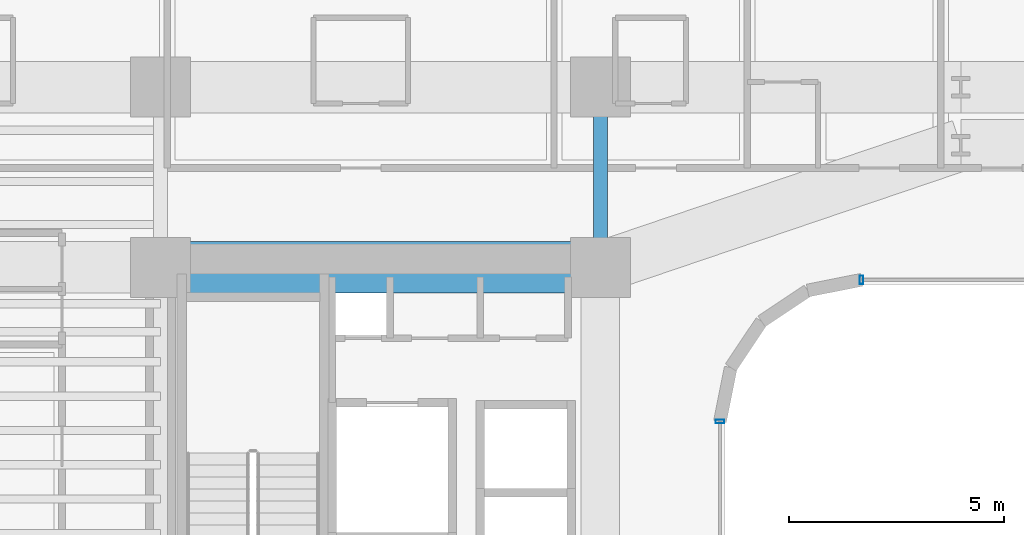
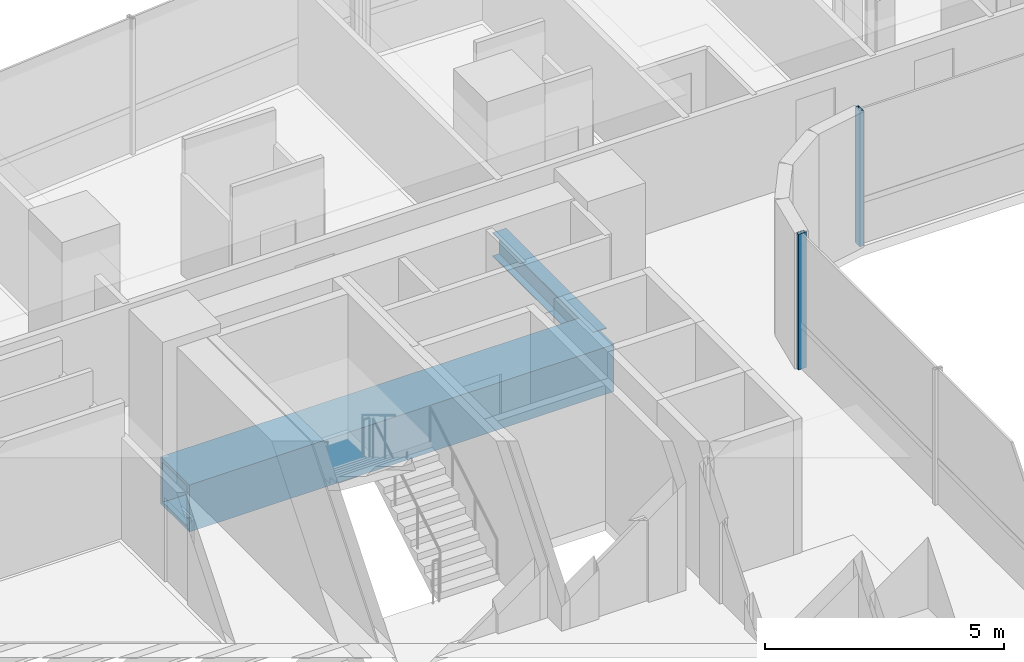
# One storey, part 13 of 50: 2 beams, 2 members, 2 elements without a shape of their own.
"""IFC4 building model written with IfcOpenShell, lengths in metres."""

from ifc_helpers import new_model, si_unit, direction, frame, origin, origin_2d, place, context, subcontext, project, spatial, hollow_rectangle, i_section, extrude, source, transform, mapped, material, material_profile, profile_set, type_object, element, aggregate, save


model = new_model("IFC4")

# Units and contexts
model_context = context("Model", 3, precision=1e-05, world=origin(), true_north=direction((0.0, 1.0)))
body_context = subcontext(model_context, "Body", "Model", "MODEL_VIEW")
ifc_project = project(units=[si_unit("LENGTHUNIT", "METRE"), si_unit("AREAUNIT", "SQUARE_METRE"), si_unit("VOLUMEUNIT", "CUBIC_METRE"), si_unit("PLANEANGLEUNIT", "RADIAN"), si_unit("MASSUNIT", "GRAM", prefix="KILO")], contexts=[model_context])

# Site, building, storey
site_placement = place(None, origin())
site = spatial("IfcSite", under=ifc_project, at=site_placement, CompositionType="ELEMENT")
building_placement = place(site_placement, origin())
building = spatial("IfcBuilding", under=site, at=building_placement, Name="Valdorenza Pilgrim Sanctuary Tower", CompositionType="ELEMENT")
storey_placement = place(building_placement, frame((0.0, 0.0, 26.0)))
storey = spatial("IfcBuildingStorey", under=building, at=storey_placement, Name="L05", CompositionType="ELEMENT", Elevation=26.0)

# Beams
ifc_material_1 = material(Name="Steel ASTM A992 Grade 50", Category="steel")
ifc_material_profile_1 = material_profile(ifc_material_1, i_section(OverallWidth=0.323974609375, OverallDepth=0.611083984375, WebThickness=0.0126953125, FlangeThickness=0.01904296875, at=origin_2d()), Name="W24X104")
ifc_profile_set_1 = profile_set([ifc_material_profile_1], Name="Steel ASTM A992 Grade 50")
beam_type_1 = type_object("IfcBeamType", Name="STR-BM-GRD-W24B", PredefinedType="BEAM", material=ifc_profile_set_1)
shared_shape_1 = source(origin(), body_context, "Body", "SweptSolid", [
    extrude(i_section(OverallWidth=0.323974609375, OverallDepth=0.611083984375, WebThickness=0.0126953125, FlangeThickness=0.01904296875, at=origin_2d()), origin(), (0.0, 0.0, 1.0), 4.199951171875),
])
beam_1_placement = place(storey_placement, frame((-12.39990234375, 10.60009765625, -0.54541015625), z_axis=(0.0, 1.0, 0.0), x_axis=(-1.0, 0.0, 0.0)))
element("IfcBeam", 1, at=beam_1_placement, inside=storey, type_object=beam_type_1, Name="L05 Core Tie Girder CA-E-N1N2", PredefinedType="BEAM", context=body_context, shape_type="MappedRepresentation", body=[
    mapped(shared_shape_1, transform((0.0, 0.0, 0.0), x_axis=(1.0, 0.0, 0.0), y_axis=(0.0, 1.0, 0.0), z_axis=(0.0, 0.0, 1.0), scale=1.0)),
])
ifc_material_2 = material(Name="Steel ASTM A572 Grade 42", Category="steel")
ifc_material_profile_2 = material_profile(ifc_material_2, hollow_rectangle(XDim=1.199951171875, YDim=1.199951171875, WallThickness=0.090087890625, at=origin_2d()), Name="BOX 1200x1200x90")
ifc_profile_set_2 = profile_set([ifc_material_profile_2], Name="Steel ASTM A572 Grade 42")
beam_type_2 = type_object("IfcBeamType", Name="STR-BM-TRF-1200", PredefinedType="BEAM", material=ifc_profile_set_2)
shared_shape_2 = source(origin(), body_context, "Body", "SweptSolid", [
    extrude(hollow_rectangle(XDim=1.199951171875, YDim=1.199951171875, WallThickness=0.090087890625, at=origin_2d()), origin(), (0.0, 0.0, 1.0), 10.25),
])
beam_2_placement = place(storey_placement, frame((-22.64990234375, 10.60009765625, -0.840087890625), z_axis=(1.0, 0.0, 0.0), x_axis=(0.0, 1.0, 0.0)))
element("IfcBeam", 2, at=beam_2_placement, inside=storey, type_object=beam_type_2, Name="L05 Transfer Girder CA-XC-N1", PredefinedType="BEAM", context=body_context, shape_type="MappedRepresentation", body=[
    mapped(shared_shape_2, transform((0.0, 0.0, 0.0), x_axis=(1.0, 0.0, 0.0), y_axis=(0.0, 1.0, 0.0), z_axis=(0.0, 0.0, 1.0), scale=1.0)),
])

# Curtain wall, member
ifc_material_3 = material(Name="Curtain-wall IGU glazing", Category="glass")
curtain_wall_type = type_object("IfcCurtainWallType", Name="CW-SYS-02", PredefinedType="NOTDEFINED", material=ifc_material_3)
curtain_wall_1_placement = place(storey_placement, origin())
curtain_wall_1 = element("IfcCurtainWall", 3, at=curtain_wall_1_placement, inside=storey, type_object=curtain_wall_type, Name="L05 Curtain Wall CW-L05-1-36", PredefinedType="NOTDEFINED")
ifc_material_4 = material(Name="Anodised aluminium AW-6060", Category="aluminium")
ifc_material_profile_3 = material_profile(ifc_material_4, hollow_rectangle(XDim=0.0849609375, YDim=0.199951171875, WallThickness=0.0048828125, at=origin_2d()), Name="ALU-M 200x85x5")
ifc_profile_set_3 = profile_set([ifc_material_profile_3], Name="Anodised aluminium AW-6060")
member_type = type_object("IfcMemberType", Name="CW-MUL-02", PredefinedType="MULLION", material=ifc_profile_set_3)
shared_shape_3 = source(origin(), body_context, "Body", "SweptSolid", [
    extrude(hollow_rectangle(XDim=0.0849609375, YDim=0.199951171875, WallThickness=0.0048828125, at=origin_2d()), origin(), (0.0, 0.0, 1.0), 3.4599609375),
])
member_1_placement = place(storey_placement, frame((-6.310791015625, 10.31005859375, 0.0), z_axis=(0.0, 0.0, 1.0), x_axis=(-1.0, 0.0, 0.0)))
member_1 = element("IfcMember", 4, at=member_1_placement, type_object=member_type, Name="CW-L05-1-36 Mullion 4", PredefinedType="MULLION", context=body_context, shape_type="MappedRepresentation", body=[
    mapped(shared_shape_3, transform((0.0, 0.0, 0.0), x_axis=(1.0, 0.0, 0.0), y_axis=(0.0, 1.0, 0.0), z_axis=(0.0, 0.0, 1.0), scale=1.0)),
])
aggregate(curtain_wall_1, [member_1])

curtain_wall_2_placement = place(storey_placement, origin())
curtain_wall_2 = element("IfcCurtainWall", 5, at=curtain_wall_2_placement, inside=storey, type_object=curtain_wall_type, Name="L05 Curtain Wall CW-L05-1-41", PredefinedType="NOTDEFINED")
member_2_placement = place(storey_placement, frame((-9.610107421875, 7.0107421875, 0.0), z_axis=(0.0, 0.0, 1.0), x_axis=(0.0, -1.0, 0.0)))
member_2 = element("IfcMember", 6, at=member_2_placement, type_object=member_type, Name="CW-L05-1-41 Mullion 1", PredefinedType="MULLION", context=body_context, shape_type="MappedRepresentation", body=[
    mapped(shared_shape_3, transform((0.0, 0.0, 0.0), x_axis=(1.0, 0.0, 0.0), y_axis=(0.0, 1.0, 0.0), z_axis=(0.0, 0.0, 1.0), scale=1.0)),
])
aggregate(curtain_wall_2, [member_2])

save(model, "model.ifc")
